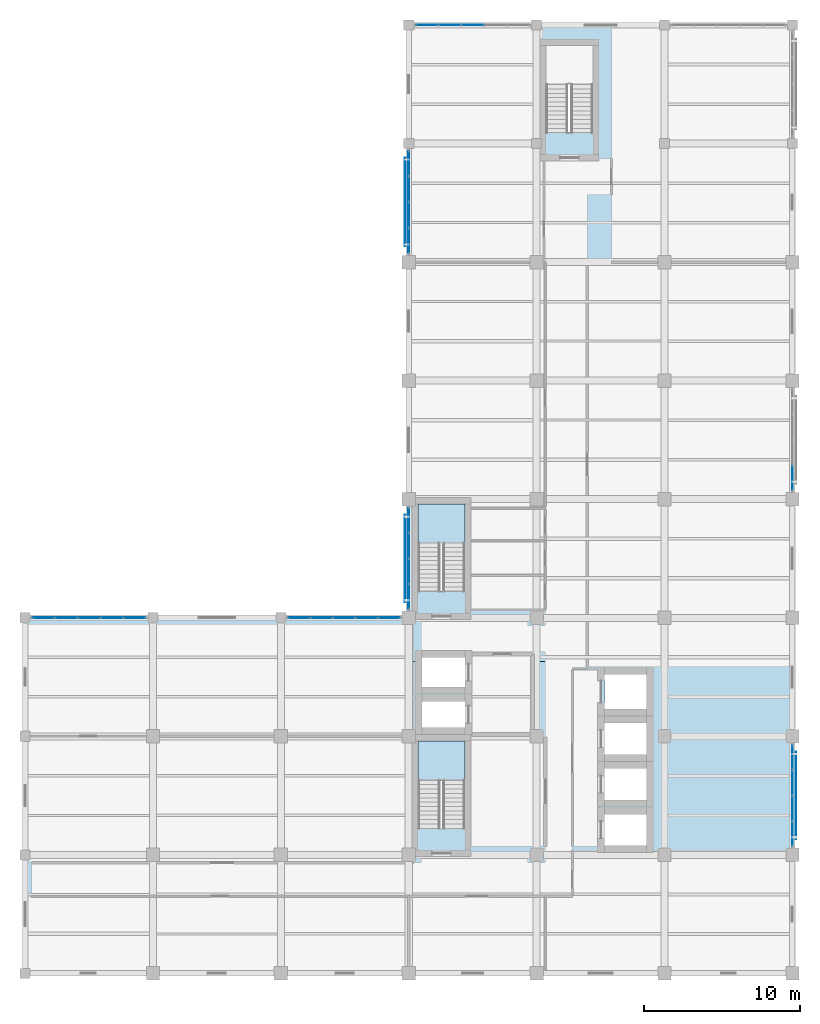
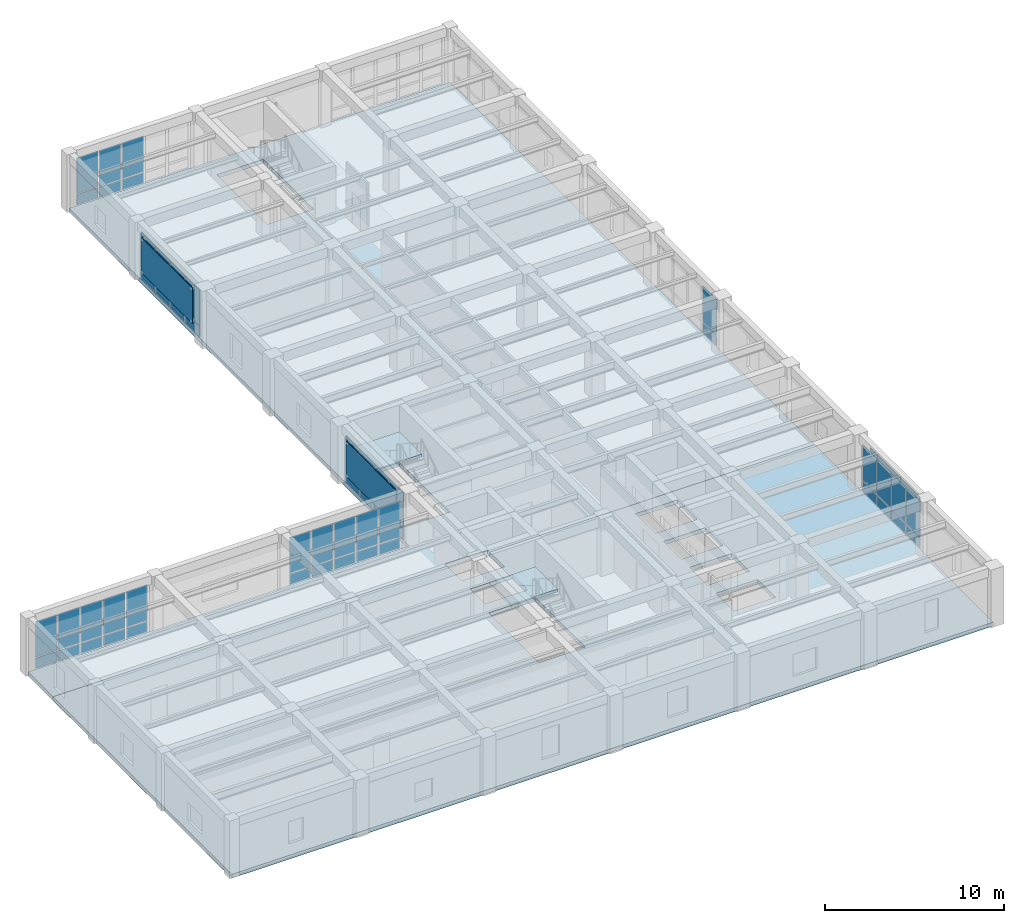
# One storey, part 7 of 16: 55 plates, 4 slabs, 9 elements without a shape of their own.
"""IFC4 building model written with IfcOpenShell, lengths in metres."""

from ifc_helpers import new_model, si_unit, direction, frame, origin, origin_2d, place, context, subcontext, project, spatial, polyline, rectangle, outline, extrude, material, layer, layer_set, type_object, element, aggregate, save


model = new_model("IFC4")

# Units and contexts
model_context = context("Model", 3, precision=1e-05, world=origin(), true_north=direction((0.0, 1.0)))
body_context = subcontext(model_context, "Body", "Model", "MODEL_VIEW")
ifc_project = project(units=[si_unit("LENGTHUNIT", "METRE"), si_unit("AREAUNIT", "SQUARE_METRE"), si_unit("VOLUMEUNIT", "CUBIC_METRE"), si_unit("PLANEANGLEUNIT", "RADIAN"), si_unit("MASSUNIT", "GRAM", prefix="KILO")], contexts=[model_context])

# Site, building, storey
site_placement = place(None, origin())
site = spatial("IfcSite", under=ifc_project, at=site_placement, CompositionType="ELEMENT")
building_placement = place(site_placement, origin())
building = spatial("IfcBuilding", under=site, at=building_placement, Name="Qandaris Square Conservatory and Botanical Centre", CompositionType="ELEMENT")
storey_placement = place(building_placement, frame((0.0, 0.0, 24.0)))
storey = spatial("IfcBuildingStorey", under=building, at=storey_placement, Name="L05", CompositionType="ELEMENT", Elevation=24.0)

# Curtain wall, plates
ifc_material_1 = material(Name="Anodised Aluminium", Category="aluminium")
curtain_wall_type_1 = type_object("IfcCurtainWallType", Name="Unitised Curtain Wall CW-4-655x333", PredefinedType="USERDEFINED", material=ifc_material_1)
curtain_wall_1_placement = place(storey_placement, origin())
curtain_wall_1 = element("IfcCurtainWall", 1, at=curtain_wall_1_placement, inside=storey, type_object=curtain_wall_type_1, Name="Curtain Wall CW-TWR-L05-2-2", ObjectType="GLAZED CURTAIN WALL", PredefinedType="USERDEFINED")
ifc_material_2 = material(Name="Tempered Low-E Glass", Category="glass")
ifc_layer_1 = layer(ifc_material_2, 0.035888671875)
ifc_layer_set_1 = layer_set([ifc_layer_1], Name="Tempered Low-E Glass")
plate_type_1 = type_object("IfcPlateType", Name="Double-Glazed Solar Control Vision Unit 36mm", PredefinedType="CURTAIN_PANEL", material=ifc_layer_set_1)
plate_1_placement = place(storey_placement, frame((163.800048828125, 25.56005859375, 0.06494140625), z_axis=(0.0, 0.0, 1.0), x_axis=(0.0, 1.0, 0.0)))
plate_1 = element("IfcPlate", 2, at=plate_1_placement, type_object=plate_type_1, Name="CW-4-655x333 panel 1.1", PredefinedType="CURTAIN_PANEL", context=body_context, shape_type="SweptSolid", body=[
    extrude(rectangle(XDim=1.5400390625, YDim=0.035888671875, at=origin_2d()), origin(), (0.0, 0.0, 1.0), 0.70166015625),
])
plate_2_placement = place(storey_placement, frame((163.800048828125, 25.56005859375, 0.83154296875), z_axis=(0.0, 0.0, 1.0), x_axis=(0.0, 1.0, 0.0)))
plate_2 = element("IfcPlate", 3, at=plate_2_placement, type_object=plate_type_1, Name="CW-4-655x333 panel 1.2", PredefinedType="CURTAIN_PANEL", context=body_context, shape_type="SweptSolid", body=[
    extrude(rectangle(XDim=1.5400390625, YDim=0.035888671875, at=origin_2d()), origin(), (0.0, 0.0, 1.0), 2.433349609375),
])
plate_3_placement = place(storey_placement, frame((163.800048828125, 27.18115234375, 0.06494140625), z_axis=(0.0, 0.0, 1.0), x_axis=(0.0, 1.0, 0.0)))
plate_3 = element("IfcPlate", 4, at=plate_3_placement, type_object=plate_type_1, Name="CW-4-655x333 panel 2.1", PredefinedType="CURTAIN_PANEL", context=body_context, shape_type="SweptSolid", body=[
    extrude(rectangle(XDim=1.572509765625, YDim=0.035888671875, at=origin_2d()), origin(), (0.0, 0.0, 1.0), 0.70166015625),
])
plate_4_placement = place(storey_placement, frame((163.800048828125, 27.18115234375, 0.83154296875), z_axis=(0.0, 0.0, 1.0), x_axis=(0.0, 1.0, 0.0)))
plate_4 = element("IfcPlate", 5, at=plate_4_placement, type_object=plate_type_1, Name="CW-4-655x333 panel 2.2", PredefinedType="CURTAIN_PANEL", context=body_context, shape_type="SweptSolid", body=[
    extrude(rectangle(XDim=1.572509765625, YDim=0.035888671875, at=origin_2d()), origin(), (0.0, 0.0, 1.0), 2.433349609375),
])
plate_5_placement = place(storey_placement, frame((163.800048828125, 28.81884765625, 0.06494140625), z_axis=(0.0, 0.0, 1.0), x_axis=(0.0, 1.0, 0.0)))
plate_5 = element("IfcPlate", 6, at=plate_5_placement, type_object=plate_type_1, Name="CW-4-655x333 panel 3.1", PredefinedType="CURTAIN_PANEL", context=body_context, shape_type="SweptSolid", body=[
    extrude(rectangle(XDim=1.572509765625, YDim=0.035888671875, at=origin_2d()), origin(), (0.0, 0.0, 1.0), 0.70166015625),
])
plate_6_placement = place(storey_placement, frame((163.800048828125, 28.81884765625, 0.83154296875), z_axis=(0.0, 0.0, 1.0), x_axis=(0.0, 1.0, 0.0)))
plate_6 = element("IfcPlate", 7, at=plate_6_placement, type_object=plate_type_1, Name="CW-4-655x333 panel 3.2", PredefinedType="CURTAIN_PANEL", context=body_context, shape_type="SweptSolid", body=[
    extrude(rectangle(XDim=1.572509765625, YDim=0.035888671875, at=origin_2d()), origin(), (0.0, 0.0, 1.0), 2.433349609375),
])
plate_7_placement = place(storey_placement, frame((163.800048828125, 30.43994140625, 0.06494140625), z_axis=(0.0, 0.0, 1.0), x_axis=(0.0, 1.0, 0.0)))
plate_7 = element("IfcPlate", 8, at=plate_7_placement, type_object=plate_type_1, Name="CW-4-655x333 panel 4.1", PredefinedType="CURTAIN_PANEL", context=body_context, shape_type="SweptSolid", body=[
    extrude(rectangle(XDim=1.5400390625, YDim=0.035888671875, at=origin_2d()), origin(), (0.0, 0.0, 1.0), 0.70166015625),
])
plate_8_placement = place(storey_placement, frame((163.800048828125, 30.43994140625, 0.83154296875), z_axis=(0.0, 0.0, 1.0), x_axis=(0.0, 1.0, 0.0)))
plate_8 = element("IfcPlate", 9, at=plate_8_placement, type_object=plate_type_1, Name="CW-4-655x333 panel 4.2", PredefinedType="CURTAIN_PANEL", context=body_context, shape_type="SweptSolid", body=[
    extrude(rectangle(XDim=1.5400390625, YDim=0.035888671875, at=origin_2d()), origin(), (0.0, 0.0, 1.0), 2.433349609375),
])
aggregate(curtain_wall_1, [plate_1, plate_2, plate_3, plate_4, plate_5, plate_6, plate_7, plate_8])

curtain_wall_2_placement = place(storey_placement, origin())
curtain_wall_2 = element("IfcCurtainWall", 10, at=curtain_wall_2_placement, inside=storey, type_object=curtain_wall_type_1, Name="Curtain Wall CW-TWR-L05-2-5", ObjectType="GLAZED CURTAIN WALL", PredefinedType="USERDEFINED")
plate_9_placement = place(storey_placement, frame((163.800048828125, 48.360107421875, 0.06494140625), z_axis=(0.0, 0.0, 1.0), x_axis=(0.0, 1.0, 0.0)))
plate_9 = element("IfcPlate", 11, at=plate_9_placement, type_object=plate_type_1, Name="CW-4-655x333 panel 1.1", PredefinedType="CURTAIN_PANEL", context=body_context, shape_type="SweptSolid", body=[
    extrude(rectangle(XDim=1.5400390625, YDim=0.035888671875, at=origin_2d()), origin(), (0.0, 0.0, 1.0), 0.70166015625),
])
plate_10_placement = place(storey_placement, frame((163.800048828125, 48.360107421875, 0.83154296875), z_axis=(0.0, 0.0, 1.0), x_axis=(0.0, 1.0, 0.0)))
plate_10 = element("IfcPlate", 12, at=plate_10_placement, type_object=plate_type_1, Name="CW-4-655x333 panel 1.2", PredefinedType="CURTAIN_PANEL", context=body_context, shape_type="SweptSolid", body=[
    extrude(rectangle(XDim=1.5400390625, YDim=0.035888671875, at=origin_2d()), origin(), (0.0, 0.0, 1.0), 2.433349609375),
])
aggregate(curtain_wall_2, [plate_9, plate_10])

curtain_wall_type_2 = type_object("IfcCurtainWallType", Name="Unitised Curtain Wall CW-3-735x333", PredefinedType="USERDEFINED", material=ifc_material_1)
curtain_wall_3_placement = place(storey_placement, origin())
curtain_wall_3 = element("IfcCurtainWall", 13, at=curtain_wall_3_placement, inside=storey, type_object=curtain_wall_type_2, Name="Curtain Wall CW-TWR-L05-3-3", ObjectType="GLAZED CURTAIN WALL", PredefinedType="USERDEFINED")
plate_11_placement = place(storey_placement, frame((143.300048828125, 77.39990234375, 0.06494140625), z_axis=(0.0, 0.0, 1.0), x_axis=(-1.0, 0.0, 0.0)))
plate_11 = element("IfcPlate", 14, at=plate_11_placement, type_object=plate_type_1, Name="CW-3-735x333 panel 3.1", PredefinedType="CURTAIN_PANEL", context=body_context, shape_type="SweptSolid", body=[
    extrude(rectangle(XDim=1.405029296875, YDim=0.035888671875, at=origin_2d()), origin(), (0.0, 0.0, 1.0), 0.70166015625),
])
plate_12_placement = place(storey_placement, frame((143.300048828125, 77.39990234375, 0.83154296875), z_axis=(0.0, 0.0, 1.0), x_axis=(-1.0, 0.0, 0.0)))
plate_12 = element("IfcPlate", 15, at=plate_12_placement, type_object=plate_type_1, Name="CW-3-735x333 panel 3.2", PredefinedType="CURTAIN_PANEL", context=body_context, shape_type="SweptSolid", body=[
    extrude(rectangle(XDim=1.405029296875, YDim=0.035888671875, at=origin_2d()), origin(), (0.0, 0.0, 1.0), 2.433349609375),
])
plate_13_placement = place(storey_placement, frame((141.830078125, 77.39990234375, 0.06494140625), z_axis=(0.0, 0.0, 1.0), x_axis=(-1.0, 0.0, 0.0)))
plate_13 = element("IfcPlate", 16, at=plate_13_placement, type_object=plate_type_1, Name="CW-3-735x333 panel 4.1", PredefinedType="CURTAIN_PANEL", context=body_context, shape_type="SweptSolid", body=[
    extrude(rectangle(XDim=1.405029296875, YDim=0.035888671875, at=origin_2d()), origin(), (0.0, 0.0, 1.0), 0.70166015625),
])
plate_14_placement = place(storey_placement, frame((141.830078125, 77.39990234375, 0.83154296875), z_axis=(0.0, 0.0, 1.0), x_axis=(-1.0, 0.0, 0.0)))
plate_14 = element("IfcPlate", 17, at=plate_14_placement, type_object=plate_type_1, Name="CW-3-735x333 panel 4.2", PredefinedType="CURTAIN_PANEL", context=body_context, shape_type="SweptSolid", body=[
    extrude(rectangle(XDim=1.405029296875, YDim=0.035888671875, at=origin_2d()), origin(), (0.0, 0.0, 1.0), 2.433349609375),
])
plate_15_placement = place(storey_placement, frame((140.376220703125, 77.39990234375, 0.06494140625), z_axis=(0.0, 0.0, 1.0), x_axis=(-1.0, 0.0, 0.0)))
plate_15 = element("IfcPlate", 18, at=plate_15_placement, type_object=plate_type_1, Name="CW-3-735x333 panel 5.1", PredefinedType="CURTAIN_PANEL", context=body_context, shape_type="SweptSolid", body=[
    extrude(rectangle(XDim=1.37255859375, YDim=0.035888671875, at=origin_2d()), origin(), (0.0, 0.0, 1.0), 0.70166015625),
])
plate_16_placement = place(storey_placement, frame((140.376220703125, 77.39990234375, 0.83154296875), z_axis=(0.0, 0.0, 1.0), x_axis=(-1.0, 0.0, 0.0)))
plate_16 = element("IfcPlate", 19, at=plate_16_placement, type_object=plate_type_1, Name="CW-3-735x333 panel 5.2", PredefinedType="CURTAIN_PANEL", context=body_context, shape_type="SweptSolid", body=[
    extrude(rectangle(XDim=1.37255859375, YDim=0.035888671875, at=origin_2d()), origin(), (0.0, 0.0, 1.0), 2.433349609375),
])
aggregate(curtain_wall_3, [plate_11, plate_12, plate_13, plate_14, plate_15, plate_16])

curtain_wall_type_3 = type_object("IfcCurtainWallType", Name="Unitised Curtain Wall CW-4-665x333", PredefinedType="USERDEFINED", material=ifc_material_1)
curtain_wall_4_placement = place(storey_placement, origin())
curtain_wall_4 = element("IfcCurtainWall", 20, at=curtain_wall_4_placement, inside=storey, type_object=curtain_wall_type_3, Name="Curtain Wall CW-TWR-L05-4-2", ObjectType="GLAZED CURTAIN WALL", PredefinedType="USERDEFINED")
plate_17_placement = place(storey_placement, frame((139.199951171875, 68.527587890625, 0.06494140625), z_axis=(0.0, 0.0, 1.0), x_axis=(0.0, -1.0, 0.0)))
plate_17 = element("IfcPlate", 21, at=plate_17_placement, type_object=plate_type_1, Name="CW-4-665x333 panel 1.1", PredefinedType="CURTAIN_PANEL", context=body_context, shape_type="SweptSolid", body=[
    extrude(rectangle(XDim=1.56494140625, YDim=0.035888671875, at=origin_2d()), origin(), (0.0, 0.0, 1.0), 0.70166015625),
])
plate_18_placement = place(storey_placement, frame((139.199951171875, 68.527587890625, 0.83154296875), z_axis=(0.0, 0.0, 1.0), x_axis=(0.0, -1.0, 0.0)))
plate_18 = element("IfcPlate", 22, at=plate_18_placement, type_object=plate_type_1, Name="CW-4-665x333 panel 1.2", PredefinedType="CURTAIN_PANEL", context=body_context, shape_type="SweptSolid", body=[
    extrude(rectangle(XDim=1.56494140625, YDim=0.035888671875, at=origin_2d()), origin(), (0.0, 0.0, 1.0), 2.433349609375),
])
plate_19_placement = place(storey_placement, frame((139.199951171875, 66.88134765625, 0.06494140625), z_axis=(0.0, 0.0, 1.0), x_axis=(0.0, -1.0, 0.0)))
plate_19 = element("IfcPlate", 23, at=plate_19_placement, type_object=plate_type_1, Name="CW-4-665x333 panel 2.1", PredefinedType="CURTAIN_PANEL", context=body_context, shape_type="SweptSolid", body=[
    extrude(rectangle(XDim=1.597412109375, YDim=0.035888671875, at=origin_2d()), origin(), (0.0, 0.0, 1.0), 0.70166015625),
])
plate_20_placement = place(storey_placement, frame((139.199951171875, 66.88134765625, 0.83154296875), z_axis=(0.0, 0.0, 1.0), x_axis=(0.0, -1.0, 0.0)))
plate_20 = element("IfcPlate", 24, at=plate_20_placement, type_object=plate_type_1, Name="CW-4-665x333 panel 2.2", PredefinedType="CURTAIN_PANEL", context=body_context, shape_type="SweptSolid", body=[
    extrude(rectangle(XDim=1.597412109375, YDim=0.035888671875, at=origin_2d()), origin(), (0.0, 0.0, 1.0), 2.433349609375),
])
plate_21_placement = place(storey_placement, frame((139.199951171875, 65.21875, 0.06494140625), z_axis=(0.0, 0.0, 1.0), x_axis=(0.0, -1.0, 0.0)))
plate_21 = element("IfcPlate", 25, at=plate_21_placement, type_object=plate_type_1, Name="CW-4-665x333 panel 3.1", PredefinedType="CURTAIN_PANEL", context=body_context, shape_type="SweptSolid", body=[
    extrude(rectangle(XDim=1.597412109375, YDim=0.035888671875, at=origin_2d()), origin(), (0.0, 0.0, 1.0), 0.70166015625),
])
plate_22_placement = place(storey_placement, frame((139.199951171875, 65.21875, 0.83154296875), z_axis=(0.0, 0.0, 1.0), x_axis=(0.0, -1.0, 0.0)))
plate_22 = element("IfcPlate", 26, at=plate_22_placement, type_object=plate_type_1, Name="CW-4-665x333 panel 3.2", PredefinedType="CURTAIN_PANEL", context=body_context, shape_type="SweptSolid", body=[
    extrude(rectangle(XDim=1.597412109375, YDim=0.035888671875, at=origin_2d()), origin(), (0.0, 0.0, 1.0), 2.433349609375),
])
plate_23_placement = place(storey_placement, frame((139.199951171875, 63.572509765625, 0.06494140625), z_axis=(0.0, 0.0, 1.0), x_axis=(0.0, -1.0, 0.0)))
plate_23 = element("IfcPlate", 27, at=plate_23_placement, type_object=plate_type_1, Name="CW-4-665x333 panel 4.1", PredefinedType="CURTAIN_PANEL", context=body_context, shape_type="SweptSolid", body=[
    extrude(rectangle(XDim=1.56494140625, YDim=0.035888671875, at=origin_2d()), origin(), (0.0, 0.0, 1.0), 0.70166015625),
])
plate_24_placement = place(storey_placement, frame((139.199951171875, 63.572509765625, 0.83154296875), z_axis=(0.0, 0.0, 1.0), x_axis=(0.0, -1.0, 0.0)))
plate_24 = element("IfcPlate", 28, at=plate_24_placement, type_object=plate_type_1, Name="CW-4-665x333 panel 4.2", PredefinedType="CURTAIN_PANEL", context=body_context, shape_type="SweptSolid", body=[
    extrude(rectangle(XDim=1.56494140625, YDim=0.035888671875, at=origin_2d()), origin(), (0.0, 0.0, 1.0), 2.433349609375),
])
aggregate(curtain_wall_4, [plate_17, plate_18, plate_19, plate_20, plate_21, plate_22, plate_23, plate_24])

curtain_wall_5_placement = place(storey_placement, origin())
curtain_wall_5 = element("IfcCurtainWall", 29, at=curtain_wall_5_placement, inside=storey, type_object=curtain_wall_type_1, Name="Curtain Wall CW-TWR-L05-4-5", ObjectType="GLAZED CURTAIN WALL", PredefinedType="USERDEFINED")
plate_25_placement = place(storey_placement, frame((139.199951171875, 45.639892578125, 0.06494140625), z_axis=(0.0, 0.0, 1.0), x_axis=(0.0, -1.0, 0.0)))
plate_25 = element("IfcPlate", 30, at=plate_25_placement, type_object=plate_type_1, Name="CW-4-655x333 panel 1.1", PredefinedType="CURTAIN_PANEL", context=body_context, shape_type="SweptSolid", body=[
    extrude(rectangle(XDim=1.5400390625, YDim=0.035888671875, at=origin_2d()), origin(), (0.0, 0.0, 1.0), 0.70166015625),
])
plate_26_placement = place(storey_placement, frame((139.199951171875, 45.639892578125, 0.83154296875), z_axis=(0.0, 0.0, 1.0), x_axis=(0.0, -1.0, 0.0)))
plate_26 = element("IfcPlate", 31, at=plate_26_placement, type_object=plate_type_1, Name="CW-4-655x333 panel 1.2", PredefinedType="CURTAIN_PANEL", context=body_context, shape_type="SweptSolid", body=[
    extrude(rectangle(XDim=1.5400390625, YDim=0.035888671875, at=origin_2d()), origin(), (0.0, 0.0, 1.0), 2.433349609375),
])
plate_27_placement = place(storey_placement, frame((139.199951171875, 44.018798828125, 0.06494140625), z_axis=(0.0, 0.0, 1.0), x_axis=(0.0, -1.0, 0.0)))
plate_27 = element("IfcPlate", 32, at=plate_27_placement, type_object=plate_type_1, Name="CW-4-655x333 panel 2.1", PredefinedType="CURTAIN_PANEL", context=body_context, shape_type="SweptSolid", body=[
    extrude(rectangle(XDim=1.572509765625, YDim=0.035888671875, at=origin_2d()), origin(), (0.0, 0.0, 1.0), 0.70166015625),
])
plate_28_placement = place(storey_placement, frame((139.199951171875, 44.018798828125, 0.83154296875), z_axis=(0.0, 0.0, 1.0), x_axis=(0.0, -1.0, 0.0)))
plate_28 = element("IfcPlate", 33, at=plate_28_placement, type_object=plate_type_1, Name="CW-4-655x333 panel 2.2", PredefinedType="CURTAIN_PANEL", context=body_context, shape_type="SweptSolid", body=[
    extrude(rectangle(XDim=1.572509765625, YDim=0.035888671875, at=origin_2d()), origin(), (0.0, 0.0, 1.0), 2.433349609375),
])
plate_29_placement = place(storey_placement, frame((139.199951171875, 42.38134765625, 0.06494140625), z_axis=(0.0, 0.0, 1.0), x_axis=(0.0, -1.0, 0.0)))
plate_29 = element("IfcPlate", 34, at=plate_29_placement, type_object=plate_type_1, Name="CW-4-655x333 panel 3.1", PredefinedType="CURTAIN_PANEL", context=body_context, shape_type="SweptSolid", body=[
    extrude(rectangle(XDim=1.572509765625, YDim=0.035888671875, at=origin_2d()), origin(), (0.0, 0.0, 1.0), 0.70166015625),
])
plate_30_placement = place(storey_placement, frame((139.199951171875, 42.38134765625, 0.83154296875), z_axis=(0.0, 0.0, 1.0), x_axis=(0.0, -1.0, 0.0)))
plate_30 = element("IfcPlate", 35, at=plate_30_placement, type_object=plate_type_1, Name="CW-4-655x333 panel 3.2", PredefinedType="CURTAIN_PANEL", context=body_context, shape_type="SweptSolid", body=[
    extrude(rectangle(XDim=1.572509765625, YDim=0.035888671875, at=origin_2d()), origin(), (0.0, 0.0, 1.0), 2.433349609375),
])
plate_31_placement = place(storey_placement, frame((139.199951171875, 40.760009765625, 0.06494140625), z_axis=(0.0, 0.0, 1.0), x_axis=(0.0, -1.0, 0.0)))
plate_31 = element("IfcPlate", 36, at=plate_31_placement, type_object=plate_type_1, Name="CW-4-655x333 panel 4.1", PredefinedType="CURTAIN_PANEL", context=body_context, shape_type="SweptSolid", body=[
    extrude(rectangle(XDim=1.5400390625, YDim=0.035888671875, at=origin_2d()), origin(), (0.0, 0.0, 1.0), 0.70166015625),
])
plate_32_placement = place(storey_placement, frame((139.199951171875, 40.760009765625, 0.83154296875), z_axis=(0.0, 0.0, 1.0), x_axis=(0.0, -1.0, 0.0)))
plate_32 = element("IfcPlate", 37, at=plate_32_placement, type_object=plate_type_1, Name="CW-4-655x333 panel 4.2", PredefinedType="CURTAIN_PANEL", context=body_context, shape_type="SweptSolid", body=[
    extrude(rectangle(XDim=1.5400390625, YDim=0.035888671875, at=origin_2d()), origin(), (0.0, 0.0, 1.0), 2.433349609375),
])
aggregate(curtain_wall_5, [plate_25, plate_26, plate_27, plate_28, plate_29, plate_30, plate_31, plate_32])

curtain_wall_type_4 = type_object("IfcCurtainWallType", Name="Unitised Curtain Wall CW-4-725x333", PredefinedType="USERDEFINED", material=ifc_material_1)
curtain_wall_6_placement = place(storey_placement, origin())
curtain_wall_6 = element("IfcCurtainWall", 38, at=curtain_wall_6_placement, inside=storey, type_object=curtain_wall_type_4, Name="Curtain Wall CW-TWR-L05-5-1", ObjectType="GLAZED CURTAIN WALL", PredefinedType="USERDEFINED")
plate_33_placement = place(storey_placement, frame((137.933837890625, 39.39990234375, 0.06494140625), z_axis=(0.0, 0.0, 1.0), x_axis=(-1.0, 0.0, 0.0)))
plate_33 = element("IfcPlate", 39, at=plate_33_placement, type_object=plate_type_1, Name="CW-4-725x333 panel 1.1", PredefinedType="CURTAIN_PANEL", context=body_context, shape_type="SweptSolid", body=[
    extrude(rectangle(XDim=1.3525390625, YDim=0.035888671875, at=origin_2d()), origin(), (0.0, 0.0, 1.0), 0.70166015625),
])
plate_34_placement = place(storey_placement, frame((137.933837890625, 39.39990234375, 0.83154296875), z_axis=(0.0, 0.0, 1.0), x_axis=(-1.0, 0.0, 0.0)))
plate_34 = element("IfcPlate", 40, at=plate_34_placement, type_object=plate_type_1, Name="CW-4-725x333 panel 1.2", PredefinedType="CURTAIN_PANEL", context=body_context, shape_type="SweptSolid", body=[
    extrude(rectangle(XDim=1.3525390625, YDim=0.035888671875, at=origin_2d()), origin(), (0.0, 0.0, 1.0), 2.433349609375),
])
plate_35_placement = place(storey_placement, frame((136.5, 39.39990234375, 0.06494140625), z_axis=(0.0, 0.0, 1.0), x_axis=(-1.0, 0.0, 0.0)))
plate_35 = element("IfcPlate", 41, at=plate_35_placement, type_object=plate_type_1, Name="CW-4-725x333 panel 2.1", PredefinedType="CURTAIN_PANEL", context=body_context, shape_type="SweptSolid", body=[
    extrude(rectangle(XDim=1.385009765625, YDim=0.035888671875, at=origin_2d()), origin(), (0.0, 0.0, 1.0), 0.70166015625),
])
plate_36_placement = place(storey_placement, frame((136.5, 39.39990234375, 0.83154296875), z_axis=(0.0, 0.0, 1.0), x_axis=(-1.0, 0.0, 0.0)))
plate_36 = element("IfcPlate", 42, at=plate_36_placement, type_object=plate_type_1, Name="CW-4-725x333 panel 2.2", PredefinedType="CURTAIN_PANEL", context=body_context, shape_type="SweptSolid", body=[
    extrude(rectangle(XDim=1.385009765625, YDim=0.035888671875, at=origin_2d()), origin(), (0.0, 0.0, 1.0), 2.433349609375),
])
plate_37_placement = place(storey_placement, frame((135.050048828125, 39.39990234375, 0.06494140625), z_axis=(0.0, 0.0, 1.0), x_axis=(-1.0, 0.0, 0.0)))
plate_37 = element("IfcPlate", 43, at=plate_37_placement, type_object=plate_type_1, Name="CW-4-725x333 panel 3.1", PredefinedType="CURTAIN_PANEL", context=body_context, shape_type="SweptSolid", body=[
    extrude(rectangle(XDim=1.385009765625, YDim=0.035888671875, at=origin_2d()), origin(), (0.0, 0.0, 1.0), 0.70166015625),
])
plate_38_placement = place(storey_placement, frame((135.050048828125, 39.39990234375, 0.83154296875), z_axis=(0.0, 0.0, 1.0), x_axis=(-1.0, 0.0, 0.0)))
plate_38 = element("IfcPlate", 44, at=plate_38_placement, type_object=plate_type_1, Name="CW-4-725x333 panel 3.2", PredefinedType="CURTAIN_PANEL", context=body_context, shape_type="SweptSolid", body=[
    extrude(rectangle(XDim=1.385009765625, YDim=0.035888671875, at=origin_2d()), origin(), (0.0, 0.0, 1.0), 2.433349609375),
])
plate_39_placement = place(storey_placement, frame((133.60009765625, 39.39990234375, 0.06494140625), z_axis=(0.0, 0.0, 1.0), x_axis=(-1.0, 0.0, 0.0)))
plate_39 = element("IfcPlate", 45, at=plate_39_placement, type_object=plate_type_1, Name="CW-4-725x333 panel 4.1", PredefinedType="CURTAIN_PANEL", context=body_context, shape_type="SweptSolid", body=[
    extrude(rectangle(XDim=1.385009765625, YDim=0.035888671875, at=origin_2d()), origin(), (0.0, 0.0, 1.0), 0.70166015625),
])
plate_40_placement = place(storey_placement, frame((133.60009765625, 39.39990234375, 0.83154296875), z_axis=(0.0, 0.0, 1.0), x_axis=(-1.0, 0.0, 0.0)))
plate_40 = element("IfcPlate", 46, at=plate_40_placement, type_object=plate_type_1, Name="CW-4-725x333 panel 4.2", PredefinedType="CURTAIN_PANEL", context=body_context, shape_type="SweptSolid", body=[
    extrude(rectangle(XDim=1.385009765625, YDim=0.035888671875, at=origin_2d()), origin(), (0.0, 0.0, 1.0), 2.433349609375),
])
plate_41_placement = place(storey_placement, frame((132.166259765625, 39.39990234375, 0.06494140625), z_axis=(0.0, 0.0, 1.0), x_axis=(-1.0, 0.0, 0.0)))
plate_41 = element("IfcPlate", 47, at=plate_41_placement, type_object=plate_type_1, Name="CW-4-725x333 panel 5.1", PredefinedType="CURTAIN_PANEL", context=body_context, shape_type="SweptSolid", body=[
    extrude(rectangle(XDim=1.3525390625, YDim=0.035888671875, at=origin_2d()), origin(), (0.0, 0.0, 1.0), 0.70166015625),
])
plate_42_placement = place(storey_placement, frame((132.166259765625, 39.39990234375, 0.83154296875), z_axis=(0.0, 0.0, 1.0), x_axis=(-1.0, 0.0, 0.0)))
plate_42 = element("IfcPlate", 48, at=plate_42_placement, type_object=plate_type_1, Name="CW-4-725x333 panel 5.2", PredefinedType="CURTAIN_PANEL", context=body_context, shape_type="SweptSolid", body=[
    extrude(rectangle(XDim=1.3525390625, YDim=0.035888671875, at=origin_2d()), origin(), (0.0, 0.0, 1.0), 2.433349609375),
])
aggregate(curtain_wall_6, [plate_33, plate_34, plate_35, plate_36, plate_37, plate_38, plate_39, plate_40, plate_41, plate_42])

curtain_wall_type_5 = type_object("IfcCurtainWallType", Name="Unitised Curtain Wall CW-4-735x333", PredefinedType="USERDEFINED", material=ifc_material_1)
curtain_wall_7_placement = place(storey_placement, origin())
curtain_wall_7 = element("IfcCurtainWall", 49, at=curtain_wall_7_placement, inside=storey, type_object=curtain_wall_type_5, Name="Curtain Wall CW-TWR-L05-5-3", ObjectType="GLAZED CURTAIN WALL", PredefinedType="USERDEFINED")
plate_43_placement = place(storey_placement, frame((121.623779296875, 39.39990234375, 0.06494140625), z_axis=(0.0, 0.0, 1.0), x_axis=(-1.0, 0.0, 0.0)))
plate_43 = element("IfcPlate", 50, at=plate_43_placement, type_object=plate_type_1, Name="CW-4-735x333 panel 1.1", PredefinedType="CURTAIN_PANEL", context=body_context, shape_type="SweptSolid", body=[
    extrude(rectangle(XDim=1.37255859375, YDim=0.035888671875, at=origin_2d()), origin(), (0.0, 0.0, 1.0), 0.70166015625),
])
plate_44_placement = place(storey_placement, frame((121.623779296875, 39.39990234375, 0.83154296875), z_axis=(0.0, 0.0, 1.0), x_axis=(-1.0, 0.0, 0.0)))
plate_44 = element("IfcPlate", 51, at=plate_44_placement, type_object=plate_type_1, Name="CW-4-735x333 panel 1.2", PredefinedType="CURTAIN_PANEL", context=body_context, shape_type="SweptSolid", body=[
    extrude(rectangle(XDim=1.37255859375, YDim=0.035888671875, at=origin_2d()), origin(), (0.0, 0.0, 1.0), 2.433349609375),
])
plate_45_placement = place(storey_placement, frame((120.169921875, 39.39990234375, 0.06494140625), z_axis=(0.0, 0.0, 1.0), x_axis=(-1.0, 0.0, 0.0)))
plate_45 = element("IfcPlate", 52, at=plate_45_placement, type_object=plate_type_1, Name="CW-4-735x333 panel 2.1", PredefinedType="CURTAIN_PANEL", context=body_context, shape_type="SweptSolid", body=[
    extrude(rectangle(XDim=1.405029296875, YDim=0.035888671875, at=origin_2d()), origin(), (0.0, 0.0, 1.0), 0.70166015625),
])
plate_46_placement = place(storey_placement, frame((120.169921875, 39.39990234375, 0.83154296875), z_axis=(0.0, 0.0, 1.0), x_axis=(-1.0, 0.0, 0.0)))
plate_46 = element("IfcPlate", 53, at=plate_46_placement, type_object=plate_type_1, Name="CW-4-735x333 panel 2.2", PredefinedType="CURTAIN_PANEL", context=body_context, shape_type="SweptSolid", body=[
    extrude(rectangle(XDim=1.405029296875, YDim=0.035888671875, at=origin_2d()), origin(), (0.0, 0.0, 1.0), 2.433349609375),
])
plate_47_placement = place(storey_placement, frame((118.699951171875, 39.39990234375, 0.06494140625), z_axis=(0.0, 0.0, 1.0), x_axis=(-1.0, 0.0, 0.0)))
plate_47 = element("IfcPlate", 54, at=plate_47_placement, type_object=plate_type_1, Name="CW-4-735x333 panel 3.1", PredefinedType="CURTAIN_PANEL", context=body_context, shape_type="SweptSolid", body=[
    extrude(rectangle(XDim=1.405029296875, YDim=0.035888671875, at=origin_2d()), origin(), (0.0, 0.0, 1.0), 0.70166015625),
])
plate_48_placement = place(storey_placement, frame((118.699951171875, 39.39990234375, 0.83154296875), z_axis=(0.0, 0.0, 1.0), x_axis=(-1.0, 0.0, 0.0)))
plate_48 = element("IfcPlate", 55, at=plate_48_placement, type_object=plate_type_1, Name="CW-4-735x333 panel 3.2", PredefinedType="CURTAIN_PANEL", context=body_context, shape_type="SweptSolid", body=[
    extrude(rectangle(XDim=1.405029296875, YDim=0.035888671875, at=origin_2d()), origin(), (0.0, 0.0, 1.0), 2.433349609375),
])
plate_49_placement = place(storey_placement, frame((117.22998046875, 39.39990234375, 0.06494140625), z_axis=(0.0, 0.0, 1.0), x_axis=(-1.0, 0.0, 0.0)))
plate_49 = element("IfcPlate", 56, at=plate_49_placement, type_object=plate_type_1, Name="CW-4-735x333 panel 4.1", PredefinedType="CURTAIN_PANEL", context=body_context, shape_type="SweptSolid", body=[
    extrude(rectangle(XDim=1.405029296875, YDim=0.035888671875, at=origin_2d()), origin(), (0.0, 0.0, 1.0), 0.70166015625),
])
plate_50_placement = place(storey_placement, frame((117.22998046875, 39.39990234375, 0.83154296875), z_axis=(0.0, 0.0, 1.0), x_axis=(-1.0, 0.0, 0.0)))
plate_50 = element("IfcPlate", 57, at=plate_50_placement, type_object=plate_type_1, Name="CW-4-735x333 panel 4.2", PredefinedType="CURTAIN_PANEL", context=body_context, shape_type="SweptSolid", body=[
    extrude(rectangle(XDim=1.405029296875, YDim=0.035888671875, at=origin_2d()), origin(), (0.0, 0.0, 1.0), 2.433349609375),
])
plate_51_placement = place(storey_placement, frame((115.7763671875, 39.39990234375, 0.06494140625), z_axis=(0.0, 0.0, 1.0), x_axis=(-1.0, 0.0, 0.0)))
plate_51 = element("IfcPlate", 58, at=plate_51_placement, type_object=plate_type_1, Name="CW-4-735x333 panel 5.1", PredefinedType="CURTAIN_PANEL", context=body_context, shape_type="SweptSolid", body=[
    extrude(rectangle(XDim=1.37255859375, YDim=0.035888671875, at=origin_2d()), origin(), (0.0, 0.0, 1.0), 0.70166015625),
])
plate_52_placement = place(storey_placement, frame((115.7763671875, 39.39990234375, 0.83154296875), z_axis=(0.0, 0.0, 1.0), x_axis=(-1.0, 0.0, 0.0)))
plate_52 = element("IfcPlate", 59, at=plate_52_placement, type_object=plate_type_1, Name="CW-4-735x333 panel 5.2", PredefinedType="CURTAIN_PANEL", context=body_context, shape_type="SweptSolid", body=[
    extrude(rectangle(XDim=1.37255859375, YDim=0.035888671875, at=origin_2d()), origin(), (0.0, 0.0, 1.0), 2.433349609375),
])
aggregate(curtain_wall_7, [plate_43, plate_44, plate_45, plate_46, plate_47, plate_48, plate_49, plate_50, plate_51, plate_52])

# Plates
ifc_material_3 = material(Name="Weathering Bronze Alloy", Category="metal")
ifc_layer_2 = layer(ifc_material_3, 0.044921875)
ifc_layer_set_2 = layer_set([ifc_layer_2], Name="Weathering Bronze Alloy")
plate_type_2 = type_object("IfcPlateType", Name="Perforated Bronze Mashrabiya Solar Screen Panel", PredefinedType="USERDEFINED", material=ifc_layer_set_2)
plate_53_placement = place(storey_placement, frame((164.02001953125, 28.0, 0.8291015625), z_axis=(0.0, 0.0, 1.0), x_axis=(0.0, 1.0, 0.0)))
element("IfcPlate", 60, at=plate_53_placement, inside=storey, type_object=plate_type_2, Name="Mashrabiya Solar Screen CW-TWR-L05-2-2", ObjectType="SOLAR SCREEN", PredefinedType="USERDEFINED", context=body_context, shape_type="SweptSolid", body=[
    extrude(rectangle(XDim=5.590087890625, YDim=0.044921875, at=origin_2d()), origin(), (0.0, 0.0, 1.0), 2.410888671875),
])
plate_54_placement = place(storey_placement, frame((138.97998046875, 66.050048828125, 0.8291015625), z_axis=(0.0, 0.0, 1.0), x_axis=(0.0, -1.0, 0.0)))
element("IfcPlate", 61, at=plate_54_placement, inside=storey, type_object=plate_type_2, Name="Mashrabiya Solar Screen CW-TWR-L05-4-2", ObjectType="SOLAR SCREEN", PredefinedType="USERDEFINED", context=body_context, shape_type="SweptSolid", body=[
    extrude(rectangle(XDim=5.68994140625, YDim=0.044921875, at=origin_2d()), origin(), (0.0, 0.0, 1.0), 2.410888671875),
])
plate_55_placement = place(storey_placement, frame((138.97998046875, 43.199951171875, 0.8291015625), z_axis=(0.0, 0.0, 1.0), x_axis=(0.0, -1.0, 0.0)))
element("IfcPlate", 62, at=plate_55_placement, inside=storey, type_object=plate_type_2, Name="Mashrabiya Solar Screen CW-TWR-L05-4-5", ObjectType="SOLAR SCREEN", PredefinedType="USERDEFINED", context=body_context, shape_type="SweptSolid", body=[
    extrude(rectangle(XDim=5.590087890625, YDim=0.044921875, at=origin_2d()), origin(), (0.0, 0.0, 1.0), 2.410888671875),
])

# Stair, slab
ifc_material_4 = material(Name="Concrete C40/50", Category="concrete")
stair_type = type_object("IfcStairType", Name="Core Escape Scissor Stair", PredefinedType="HALF_TURN_STAIR", material=ifc_material_4)
stair_1_placement = place(storey_placement, origin())
stair_1 = element("IfcStair", 63, at=stair_1_placement, inside=storey, type_object=stair_type, Name="L05 Tower South Exit Stair ST-1", PredefinedType="HALF_TURN_STAIR")
ifc_layer_3 = layer(ifc_material_4, 0.219970703125)
ifc_layer_set_3 = layer_set([ifc_layer_3], Name="Concrete C40/50")
slab_type_1 = type_object("IfcSlabType", Name="RC Stair Half-Landing Slab 220mm", PredefinedType="LANDING", material=ifc_layer_set_3)
slab_1_placement = place(storey_placement, frame((0.0, 0.0, 1.89990234375)))
slab_1 = element("IfcSlab", 64, at=slab_1_placement, type_object=slab_type_1, Name="ST-1 landing 1", PredefinedType="LANDING", context=body_context, shape_type="SweptSolid", body=[
    extrude(outline(polyline([(142.800048828125, 28.97998046875), (142.800048828125, 31.5), (139.800048828125, 31.5), (139.800048828125, 28.97998046875), (142.800048828125, 28.97998046875)])), origin(), (0.0, 0.0, 1.0), 0.2001953125),
])
aggregate(stair_1, [slab_1])

stair_2_placement = place(storey_placement, origin())
stair_2 = element("IfcStair", 65, at=stair_2_placement, inside=storey, type_object=stair_type, Name="L05 Tower North Exit Stair ST-2", PredefinedType="HALF_TURN_STAIR")
slab_2_placement = place(storey_placement, frame((0.0, 0.0, 1.89990234375)))
slab_2 = element("IfcSlab", 66, at=slab_2_placement, type_object=slab_type_1, Name="ST-2 landing 1", PredefinedType="LANDING", context=body_context, shape_type="SweptSolid", body=[
    extrude(outline(polyline([(142.800048828125, 44.179931640625), (142.800048828125, 46.699951171875), (139.800048828125, 46.699951171875), (139.800048828125, 44.179931640625), (142.800048828125, 44.179931640625)])), origin(), (0.0, 0.0, 1.0), 0.2001953125),
])
aggregate(stair_2, [slab_2])

# Slabs
ifc_layer_4 = layer(ifc_material_4, 0.260009765625)
ifc_layer_set_4 = layer_set([ifc_layer_4], Name="Concrete C40/50")
slab_type_2 = type_object("IfcSlabType", Name="RC Structural Slab 260mm", PredefinedType="FLOOR", material=ifc_layer_set_4)
slab_3_placement = place(storey_placement, frame((0.0, 0.0, -0.260009765625)))
element("IfcSlab", 67, at=slab_3_placement, inside=storey, type_object=slab_type_2, Name="L05 Structural Slab V4L05", PredefinedType="FLOOR", context=body_context, shape_type="SweptSolid", body=[
    extrude(outline(polyline([(163.800048828125, 16.60009765625), (114.60009765625, 16.60009765625), (114.60009765625, 36.60009765625), (140.06005859375, 36.60009765625), (140.06005859375, 34.9599609375), (142.800048828125, 34.9599609375), (142.800048828125, 36.60009765625), (163.800048828125, 36.60009765625), (163.800048828125, 16.60009765625)]), holes=[polyline([(151.75, 24.800048828125), (154.449951171875, 24.800048828125), (154.449951171875, 26.800048828125), (151.75, 26.800048828125), (151.75, 24.800048828125)]), polyline([(139.800048828125, 25.89990234375), (142.800048828125, 25.89990234375), (142.800048828125, 31.5), (139.800048828125, 31.5), (139.800048828125, 25.89990234375)]), polyline([(151.75, 27.719970703125), (154.449951171875, 27.719970703125), (154.449951171875, 29.719970703125), (151.75, 29.719970703125), (151.75, 27.719970703125)]), polyline([(151.75, 30.639892578125), (154.449951171875, 30.639892578125), (154.449951171875, 32.639892578125), (151.75, 32.639892578125), (151.75, 30.639892578125)]), polyline([(140.06005859375, 32.360107421875), (142.800048828125, 32.360107421875), (142.800048828125, 34.0400390625), (140.06005859375, 34.0400390625), (140.06005859375, 32.360107421875)]), polyline([(151.75, 33.56005859375), (154.449951171875, 33.56005859375), (154.449951171875, 35.760009765625), (151.75, 35.760009765625), (151.75, 33.56005859375)])]), origin(), (0.0, 0.0, 1.0), 0.260009765625),
])
slab_4_placement = place(storey_placement, frame((0.0, 0.0, -0.260009765625)))
element("IfcSlab", 68, at=slab_4_placement, inside=storey, type_object=slab_type_2, Name="L05 Structural Slab V4L05", PredefinedType="FLOOR", context=body_context, shape_type="SweptSolid", body=[
    extrude(outline(polyline([(139.199951171875, 39.39990234375), (139.199951171875, 77.39990234375), (163.800048828125, 77.39990234375), (163.800048828125, 36.60009765625), (142.800048828125, 36.60009765625), (142.800048828125, 36.840087890625), (140.06005859375, 36.840087890625), (140.06005859375, 36.60009765625), (114.60009765625, 36.60009765625), (114.60009765625, 39.39990234375), (139.199951171875, 39.39990234375)]), holes=[polyline([(139.800048828125, 46.699951171875), (139.800048828125, 41.10009765625), (142.800048828125, 41.10009765625), (142.800048828125, 46.699951171875), (139.800048828125, 46.699951171875)]), polyline([(148.0, 76.10009765625), (148.0, 70.5), (151.0, 70.5), (151.0, 76.10009765625), (148.0, 76.10009765625)])]), origin(), (0.0, 0.0, 1.0), 0.260009765625),
])

save(model, "model.ifc")
